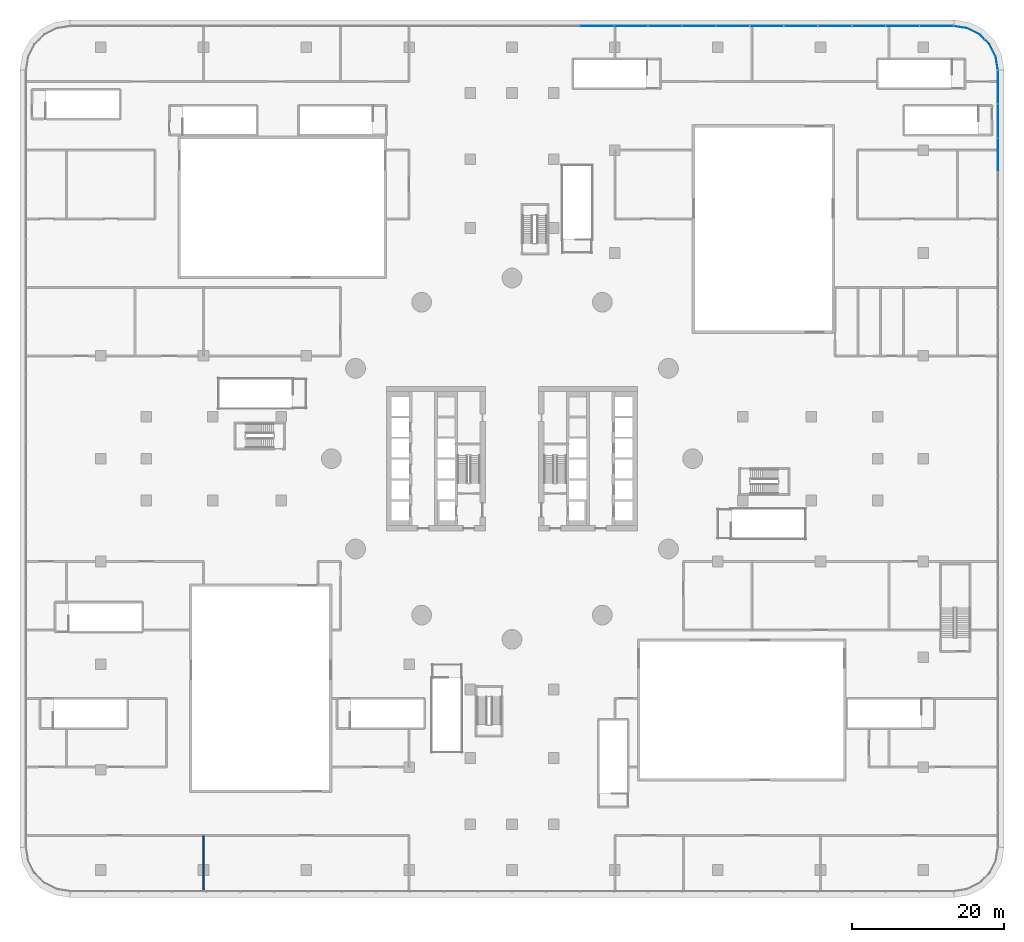
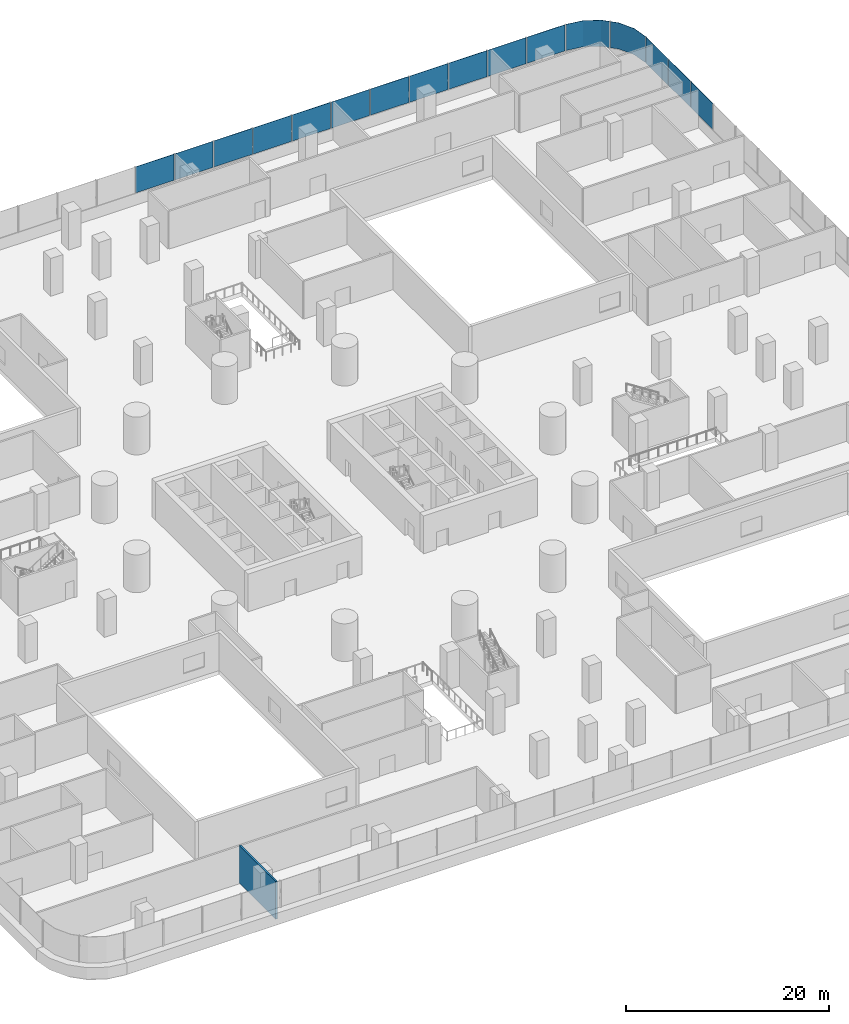
# One storey, part 22 of 38: 16 plates, 1 wall, 3 elements without a shape of their own.
"""IFC4 building model written with IfcOpenShell, lengths in metres."""

from ifc_helpers import new_model, si_unit, direction, frame, frame_2d, origin, place, context, subcontext, project, spatial, polyline, rectangle, outline, extrude, material, layer, layer_set, type_object, element, aggregate, save


model = new_model("IFC4")

# Units and contexts
model_context = context("Model", 3, precision=1e-05, world=origin(), true_north=direction((0.0, 1.0)))
body_context = subcontext(model_context, "Body", "Model", "MODEL_VIEW")
ifc_project = project(units=[si_unit("LENGTHUNIT", "METRE"), si_unit("AREAUNIT", "SQUARE_METRE"), si_unit("VOLUMEUNIT", "CUBIC_METRE"), si_unit("PLANEANGLEUNIT", "RADIAN"), si_unit("MASSUNIT", "GRAM", prefix="KILO")], contexts=[model_context])

# Site, building, storey
site_placement = place(None, origin())
site = spatial("IfcSite", under=ifc_project, at=site_placement, CompositionType="ELEMENT")
building_placement = place(site_placement, origin())
building = spatial("IfcBuilding", under=site, at=building_placement, Name="Tamarind Cross Interchange Tower", CompositionType="ELEMENT")
storey_placement = place(building_placement, frame((0.0, 0.0, 20.0)))
storey = spatial("IfcBuildingStorey", under=building, at=storey_placement, Name="L03", CompositionType="ELEMENT", Elevation=20.0)

# Curtain wall, plates
ifc_material_1 = material(Name="Aluminium 6063-T6", Category="aluminium")
ifc_layer_1 = layer(ifc_material_1, 0.199951171875)
ifc_layer_set_1 = layer_set([ifc_layer_1], Name="Aluminium 6063-T6")
curtain_wall_type = type_object("IfcCurtainWallType", Name="Podium shopfront and station curtain wall", PredefinedType="NOTDEFINED", material=ifc_layer_set_1)
curtain_wall_1_placement = place(storey_placement, origin())
curtain_wall_1 = element("IfcCurtainWall", 1, at=curtain_wall_1_placement, inside=storey, type_object=curtain_wall_type, Name="CWS-L03-00", PredefinedType="NOTDEFINED")
ifc_material_2 = material(Name="Toughened low-e glass 10+12+10", Category="glass")
ifc_layer_2 = layer(ifc_material_2, 0.031982421875)
ifc_layer_set_2 = layer_set([ifc_layer_2], Name="Toughened low-e glass 10+12+10")
plate_type = type_object("IfcPlateType", Name="Vision panel CW3", PredefinedType="CURTAIN_PANEL", material=ifc_layer_set_2)
plate_1_placement = place(storey_placement, frame((0.0, 0.0, 1.39990234375)))
plate_1 = element("IfcPlate", 2, at=plate_1_placement, type_object=plate_type, Name="CWP-L03-00-20", PredefinedType="CURTAIN_PANEL", context=body_context, shape_type="SweptSolid", body=[
    extrude(outline(polyline([(63.783935546875, 37.72412109375), (63.783935546875, 42.077392578125), (63.81591796875, 42.077392578125), (63.81591796875, 37.72412109375), (63.783935546875, 37.72412109375)])), origin(), (0.0, 0.0, 1.0), 3.150146484375),
])
plate_2_placement = place(storey_placement, frame((0.0, 0.0, 1.39990234375)))
plate_2 = element("IfcPlate", 3, at=plate_2_placement, type_object=plate_type, Name="CWP-L03-00-21", PredefinedType="CURTAIN_PANEL", context=body_context, shape_type="SweptSolid", body=[
    extrude(outline(polyline([(63.783935546875, 42.157470703125), (63.783935546875, 46.5107421875), (63.81591796875, 46.5107421875), (63.81591796875, 42.157470703125), (63.783935546875, 42.157470703125)])), origin(), (0.0, 0.0, 1.0), 3.150146484375),
])
plate_3_placement = place(storey_placement, frame((0.0, 0.0, 1.39990234375)))
plate_3 = element("IfcPlate", 4, at=plate_3_placement, type_object=plate_type, Name="CWP-L03-00-22", PredefinedType="CURTAIN_PANEL", context=body_context, shape_type="SweptSolid", body=[
    extrude(outline(polyline([(63.783935546875, 46.5908203125), (63.783935546875, 50.9443359375), (63.81591796875, 50.9443359375), (63.81591796875, 46.5908203125), (63.783935546875, 46.5908203125)])), origin(), (0.0, 0.0, 1.0), 3.150146484375),
])
aggregate(curtain_wall_1, [plate_1, plate_2, plate_3])

curtain_wall_2_placement = place(storey_placement, origin())
curtain_wall_2 = element("IfcCurtainWall", 5, at=curtain_wall_2_placement, inside=storey, type_object=curtain_wall_type, Name="CWS-L03-01", PredefinedType="NOTDEFINED")
plate_4_placement = place(storey_placement, frame((0.0, 0.0, 1.39990234375)))
plate_4 = element("IfcPlate", 6, at=plate_4_placement, type_object=plate_type, Name="CWP-L03-01-00", PredefinedType="CURTAIN_PANEL", context=body_context, shape_type="SweptSolid", body=[
    extrude(outline(polyline([(63.77783203125, 51.021240234375), (63.498291015625, 52.78662109375), (62.67724609375, 54.398193359375), (62.06591796875, 55.00927734375), (62.088623046875, 55.031982421875), (62.703369140625, 54.417236328125), (63.529052734375, 52.796630859375), (63.8095703125, 51.0263671875), (63.77783203125, 51.021240234375)])), origin(), (0.0, 0.0, 1.0), 3.150146484375),
])
plate_5_placement = place(storey_placement, frame((0.0, 0.0, 1.39990234375)))
plate_5 = element("IfcPlate", 7, at=plate_5_placement, type_object=plate_type, Name="CWP-L03-01-01", PredefinedType="CURTAIN_PANEL", context=body_context, shape_type="SweptSolid", body=[
    extrude(outline(polyline([(62.00927734375, 55.06591796875), (61.398193359375, 55.67724609375), (59.78662109375, 56.498291015625), (58.021240234375, 56.77783203125), (58.0263671875, 56.8095703125), (59.796630859375, 56.529052734375), (61.417236328125, 55.703369140625), (62.031982421875, 55.088623046875), (62.00927734375, 55.06591796875)])), origin(), (0.0, 0.0, 1.0), 3.150146484375),
])
aggregate(curtain_wall_2, [plate_4, plate_5])

curtain_wall_3_placement = place(storey_placement, origin())
curtain_wall_3 = element("IfcCurtainWall", 8, at=curtain_wall_3_placement, inside=storey, type_object=curtain_wall_type, Name="CWS-L03-02", PredefinedType="NOTDEFINED")
plate_6_placement = place(storey_placement, frame((0.0, 0.0, 1.39990234375)))
plate_6 = element("IfcPlate", 9, at=plate_6_placement, type_object=plate_type, Name="CWP-L03-02-00", PredefinedType="CURTAIN_PANEL", context=body_context, shape_type="SweptSolid", body=[
    extrude(outline(polyline([(57.9443359375, 56.783935546875), (53.56396484375, 56.783935546875), (53.56396484375, 56.81591796875), (57.9443359375, 56.81591796875), (57.9443359375, 56.783935546875)])), origin(), (0.0, 0.0, 1.0), 3.150146484375),
])
plate_7_placement = place(storey_placement, frame((0.0, 0.0, 1.39990234375)))
plate_7 = element("IfcPlate", 10, at=plate_7_placement, type_object=plate_type, Name="CWP-L03-02-01", PredefinedType="CURTAIN_PANEL", context=body_context, shape_type="SweptSolid", body=[
    extrude(outline(polyline([(53.48388671875, 56.783935546875), (49.103515625, 56.783935546875), (49.103515625, 56.81591796875), (53.48388671875, 56.81591796875), (53.48388671875, 56.783935546875)])), origin(), (0.0, 0.0, 1.0), 3.150146484375),
])
plate_8_placement = place(storey_placement, frame((0.0, 0.0, 1.39990234375)))
plate_8 = element("IfcPlate", 11, at=plate_8_placement, type_object=plate_type, Name="CWP-L03-02-02", PredefinedType="CURTAIN_PANEL", context=body_context, shape_type="SweptSolid", body=[
    extrude(outline(polyline([(49.023681640625, 56.783935546875), (44.643310546875, 56.783935546875), (44.643310546875, 56.81591796875), (49.023681640625, 56.81591796875), (49.023681640625, 56.783935546875)])), origin(), (0.0, 0.0, 1.0), 3.150146484375),
])
plate_9_placement = place(storey_placement, frame((0.0, 0.0, 1.39990234375)))
plate_9 = element("IfcPlate", 12, at=plate_9_placement, type_object=plate_type, Name="CWP-L03-02-03", PredefinedType="CURTAIN_PANEL", context=body_context, shape_type="SweptSolid", body=[
    extrude(outline(polyline([(44.563232421875, 56.783935546875), (40.182861328125, 56.783935546875), (40.182861328125, 56.81591796875), (44.563232421875, 56.81591796875), (44.563232421875, 56.783935546875)])), origin(), (0.0, 0.0, 1.0), 3.150146484375),
])
plate_10_placement = place(storey_placement, frame((0.0, 0.0, 1.39990234375)))
plate_10 = element("IfcPlate", 13, at=plate_10_placement, type_object=plate_type, Name="CWP-L03-02-04", PredefinedType="CURTAIN_PANEL", context=body_context, shape_type="SweptSolid", body=[
    extrude(outline(polyline([(40.10302734375, 56.783935546875), (35.72265625, 56.783935546875), (35.72265625, 56.81591796875), (40.10302734375, 56.81591796875), (40.10302734375, 56.783935546875)])), origin(), (0.0, 0.0, 1.0), 3.150146484375),
])
plate_11_placement = place(storey_placement, frame((0.0, 0.0, 1.39990234375)))
plate_11 = element("IfcPlate", 14, at=plate_11_placement, type_object=plate_type, Name="CWP-L03-02-05", PredefinedType="CURTAIN_PANEL", context=body_context, shape_type="SweptSolid", body=[
    extrude(outline(polyline([(35.642578125, 56.783935546875), (31.26220703125, 56.783935546875), (31.26220703125, 56.81591796875), (35.642578125, 56.81591796875), (35.642578125, 56.783935546875)])), origin(), (0.0, 0.0, 1.0), 3.150146484375),
])
plate_12_placement = place(storey_placement, frame((0.0, 0.0, 1.39990234375)))
plate_12 = element("IfcPlate", 15, at=plate_12_placement, type_object=plate_type, Name="CWP-L03-02-06", PredefinedType="CURTAIN_PANEL", context=body_context, shape_type="SweptSolid", body=[
    extrude(outline(polyline([(31.182373046875, 56.783935546875), (26.802001953125, 56.783935546875), (26.802001953125, 56.81591796875), (31.182373046875, 56.81591796875), (31.182373046875, 56.783935546875)])), origin(), (0.0, 0.0, 1.0), 3.150146484375),
])
plate_13_placement = place(storey_placement, frame((0.0, 0.0, 1.39990234375)))
plate_13 = element("IfcPlate", 16, at=plate_13_placement, type_object=plate_type, Name="CWP-L03-02-07", PredefinedType="CURTAIN_PANEL", context=body_context, shape_type="SweptSolid", body=[
    extrude(outline(polyline([(26.721923828125, 56.783935546875), (22.341552734375, 56.783935546875), (22.341552734375, 56.81591796875), (26.721923828125, 56.81591796875), (26.721923828125, 56.783935546875)])), origin(), (0.0, 0.0, 1.0), 3.150146484375),
])
plate_14_placement = place(storey_placement, frame((0.0, 0.0, 1.39990234375)))
plate_14 = element("IfcPlate", 17, at=plate_14_placement, type_object=plate_type, Name="CWP-L03-02-08", PredefinedType="CURTAIN_PANEL", context=body_context, shape_type="SweptSolid", body=[
    extrude(outline(polyline([(22.26171875, 56.783935546875), (17.88134765625, 56.783935546875), (17.88134765625, 56.81591796875), (22.26171875, 56.81591796875), (22.26171875, 56.783935546875)])), origin(), (0.0, 0.0, 1.0), 3.150146484375),
])
plate_15_placement = place(storey_placement, frame((0.0, 0.0, 1.39990234375)))
plate_15 = element("IfcPlate", 18, at=plate_15_placement, type_object=plate_type, Name="CWP-L03-02-09", PredefinedType="CURTAIN_PANEL", context=body_context, shape_type="SweptSolid", body=[
    extrude(outline(polyline([(17.80126953125, 56.783935546875), (13.4208984375, 56.783935546875), (13.4208984375, 56.81591796875), (17.80126953125, 56.81591796875), (17.80126953125, 56.783935546875)])), origin(), (0.0, 0.0, 1.0), 3.150146484375),
])
plate_16_placement = place(storey_placement, frame((0.0, 0.0, 1.39990234375)))
plate_16 = element("IfcPlate", 19, at=plate_16_placement, type_object=plate_type, Name="CWP-L03-02-10", PredefinedType="CURTAIN_PANEL", context=body_context, shape_type="SweptSolid", body=[
    extrude(outline(polyline([(13.341064453125, 56.783935546875), (8.960693359375, 56.783935546875), (8.960693359375, 56.81591796875), (13.341064453125, 56.81591796875), (13.341064453125, 56.783935546875)])), origin(), (0.0, 0.0, 1.0), 3.150146484375),
])
aggregate(curtain_wall_3, [plate_6, plate_7, plate_8, plate_9, plate_10, plate_11, plate_12, plate_13, plate_14, plate_15, plate_16])

# Wall
ifc_material_3 = material(Name="Masonry partition, fire-rated", Category="masonry")
ifc_layer_3 = layer(ifc_material_3, 0.199951171875)
ifc_layer_set_3 = layer_set([ifc_layer_3], Name="Masonry partition, fire-rated")
wall_type = type_object("IfcWallType", Name="Fire partition 200 EI 120", PredefinedType="PARTITIONING", material=ifc_layer_set_3)
wall_placement = place(storey_placement, frame((-40.5, -56.698974609375, 0.0), z_axis=(0.0, 0.0, 1.0), x_axis=(0.0, 1.0, 0.0)))
element("IfcWall", 20, at=wall_placement, inside=storey, type_object=wall_type, Name="L03 partition 68", PredefinedType="PARTITIONING", context=body_context, shape_type="SweptSolid", body=[
    extrude(rectangle(XDim=7.198974609375, YDim=0.199951171875, at=frame_2d((3.599609375, 0.0))), origin(), (0.0, 0.0, 1.0), 4.550048828125),
])

save(model, "model.ifc")
